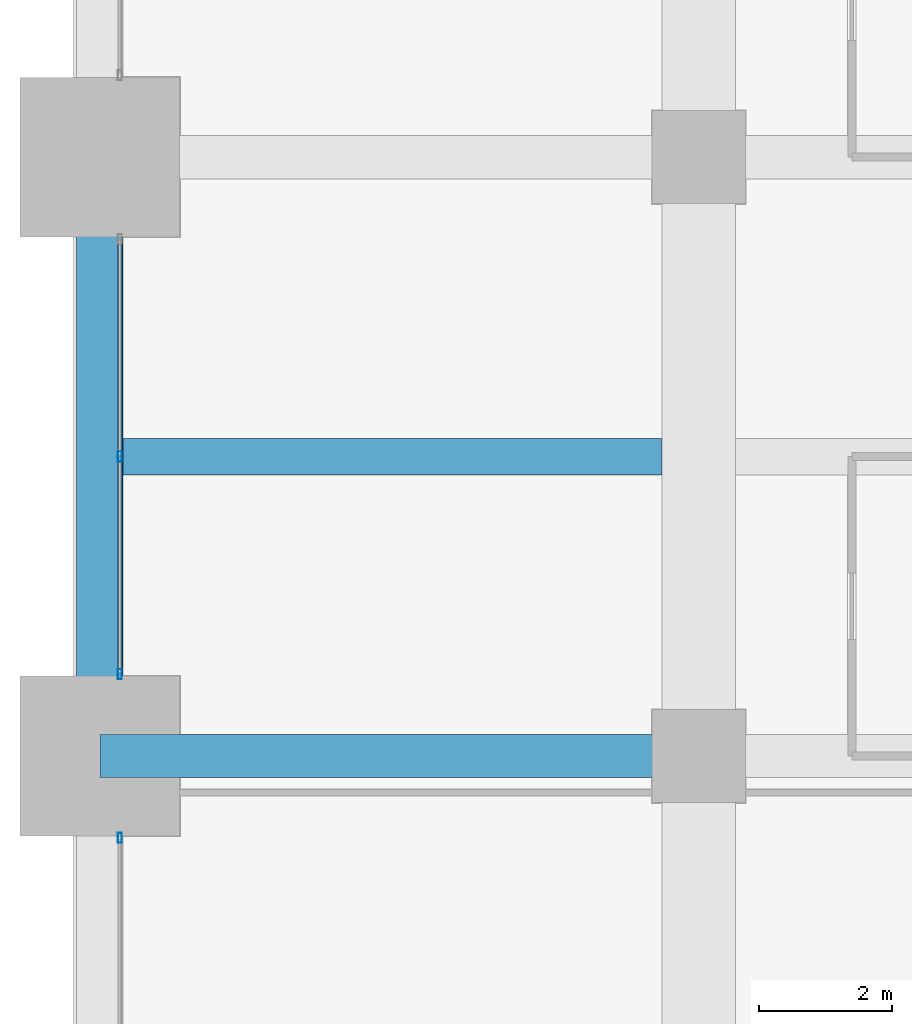
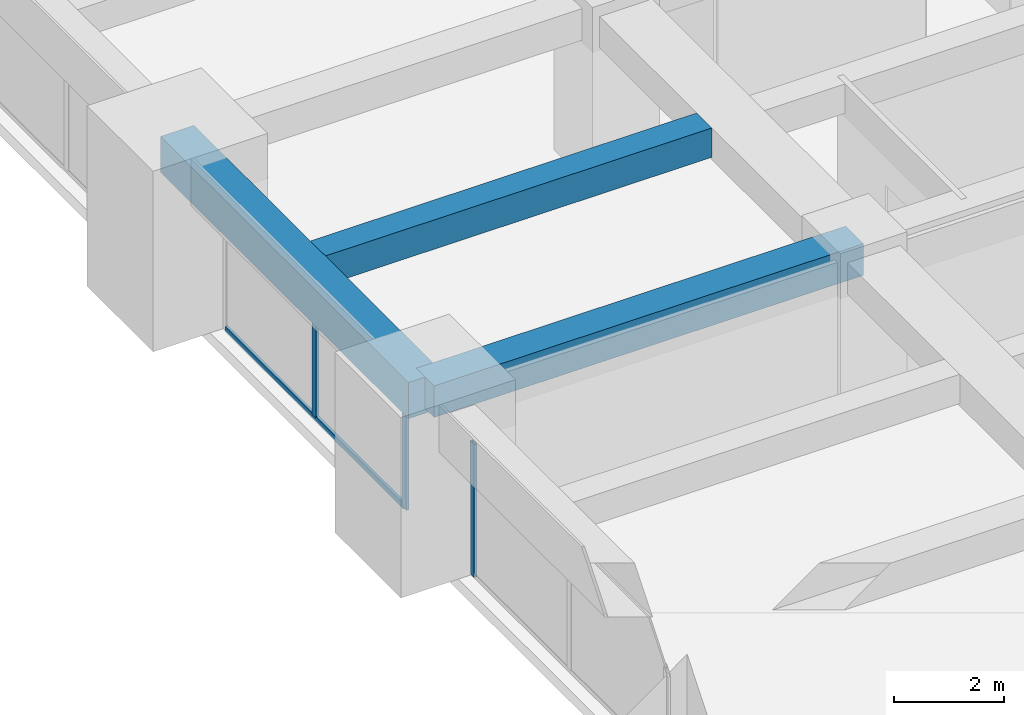
# One storey, part 9 of 32: 4 members, 3 beams, 2 elements without a shape of their own.
"""IFC4 building model written with IfcOpenShell, lengths in metres."""

from ifc_helpers import new_model, si_unit, direction, frame, origin, origin_2d, place, context, subcontext, project, spatial, rectangle, hollow_rectangle, extrude, material, material_profile, profile_set, type_object, element, aggregate, save


model = new_model("IFC4")

# Units and contexts
model_context = context("Model", 3, precision=1e-05, world=origin(), true_north=direction((0.0, 1.0)))
body_context = subcontext(model_context, "Body", "Model", "MODEL_VIEW")
ifc_project = project(units=[si_unit("LENGTHUNIT", "METRE"), si_unit("AREAUNIT", "SQUARE_METRE"), si_unit("VOLUMEUNIT", "CUBIC_METRE"), si_unit("PLANEANGLEUNIT", "RADIAN"), si_unit("MASSUNIT", "GRAM", prefix="KILO")], contexts=[model_context])

# Site, building, storey
site_placement = place(None, origin())
site = spatial("IfcSite", under=ifc_project, at=site_placement, CompositionType="ELEMENT")
building_placement = place(site_placement, origin())
building = spatial("IfcBuilding", under=site, at=building_placement, Name="Zorevar Civic Tower", CompositionType="ELEMENT")
storey_placement = place(building_placement, frame((0.0, 0.0, 202.199951171875)))
storey = spatial("IfcBuildingStorey", under=building, at=storey_placement, Name="L49", CompositionType="ELEMENT", Elevation=202.199951171875)

# Beams
ifc_material_1 = material(Name="Concrete C50/60", Category="concrete")
ifc_material_profile_1 = material_profile(ifc_material_1, rectangle(XDim=0.550048828125, YDim=0.64990234375, at=origin_2d()), Name="RC 550x650")
ifc_profile_set_1 = profile_set([ifc_material_profile_1], Name="Concrete C50/60")
beam_type_1 = type_object("IfcBeamType", Name="Beam RC 550x650", PredefinedType="BEAM", material=ifc_profile_set_1)
beam_1_placement = place(storey_placement, frame((0.35009765625, 22.5, 3.425048828125), z_axis=(1.0, 0.0, 0.0), x_axis=(0.0, 1.0, 0.0)))
element("IfcBeam", 1, at=beam_1_placement, inside=storey, type_object=beam_type_1, Name="Secondary beam L50", PredefinedType="BEAM", context=body_context, shape_type="SweptSolid", body=[
    extrude(rectangle(XDim=0.550048828125, YDim=0.64990234375, at=origin_2d()), origin(), (0.0, 0.0, 1.0), 8.099853515625),
])
ifc_material_2 = material(Name="Concrete C50/60", Category="concrete")
ifc_material_profile_2 = material_profile(ifc_material_2, rectangle(XDim=0.64990234375, YDim=0.699951171875, at=origin_2d()), Name="RC 650x700")
ifc_profile_set_2 = profile_set([ifc_material_profile_2], Name="Concrete C50/60")
beam_type_2 = type_object("IfcBeamType", Name="Beam RC 650x700", PredefinedType="BEAM", material=ifc_profile_set_2)
beam_2_placement = place(storey_placement, frame((0.0, 18.0, 3.400146484375), z_axis=(1.0, 0.0, 0.0), x_axis=(0.0, 1.0, 0.0)))
element("IfcBeam", 2, at=beam_2_placement, inside=storey, type_object=beam_type_2, Name="Girder L50", PredefinedType="BEAM", context=body_context, shape_type="SweptSolid", body=[
    extrude(rectangle(XDim=0.64990234375, YDim=0.699951171875, at=origin_2d()), origin(), (0.0, 0.0, 1.0), 9.0),
])

# Curtain wall, member
ifc_material_3 = material(Name="Dark grey solar-control glass in black aluminium frame", Category="aluminium")
curtain_wall_type = type_object("IfcCurtainWallType", Name="Curtain wall CW4 high zone", PredefinedType="NOTDEFINED", material=ifc_material_3)
curtain_wall_1_placement = place(storey_placement, origin())
curtain_wall_1 = element("IfcCurtainWall", 3, at=curtain_wall_1_placement, inside=storey, type_object=curtain_wall_type, Name="CW4 L49", PredefinedType="NOTDEFINED")
ifc_material_4 = material(Name="Aluminium, black anodised", Category="aluminium")
ifc_material_profile_3 = material_profile(ifc_material_4, hollow_rectangle(XDim=0.06005859375, YDim=0.14990234375, WallThickness=0.00390625, at=origin_2d()), Name="AL 150x60x4")
ifc_profile_set_3 = profile_set([ifc_material_profile_3], Name="Aluminium, black anodised")
member_type_1 = type_object("IfcMemberType", Name="CW4 mullion AL 150x60x4", PredefinedType="MULLION", material=ifc_profile_set_3)
member_1_placement = place(storey_placement, frame((0.300048828125, 16.77001953125, 0.0), z_axis=(0.0, 0.0, 1.0), x_axis=(-1.0, 0.0, 0.0)))
member_1 = element("IfcMember", 4, at=member_1_placement, type_object=member_type_1, Name="CW4 mullion 3", PredefinedType="MULLION", context=body_context, shape_type="SweptSolid", body=[
    extrude(hollow_rectangle(XDim=0.06005859375, YDim=0.14990234375, WallThickness=0.00390625, at=origin_2d()), origin(), (0.0, 0.0, 1.0), 2.949951171875),
])
aggregate(curtain_wall_1, [member_1])

# Curtain wall, members
curtain_wall_2_placement = place(storey_placement, origin())
curtain_wall_2 = element("IfcCurtainWall", 5, at=curtain_wall_2_placement, inside=storey, type_object=curtain_wall_type, Name="CW4 L49", PredefinedType="NOTDEFINED")
member_2_placement = place(storey_placement, frame((0.300048828125, 19.22998046875, 0.0), z_axis=(0.0, 0.0, 1.0), x_axis=(-1.0, 0.0, 0.0)))
member_2 = element("IfcMember", 6, at=member_2_placement, type_object=member_type_1, Name="CW4 mullion 1", PredefinedType="MULLION", context=body_context, shape_type="SweptSolid", body=[
    extrude(hollow_rectangle(XDim=0.06005859375, YDim=0.14990234375, WallThickness=0.00390625, at=origin_2d()), origin(), (0.0, 0.0, 1.0), 2.949951171875),
])
member_3_placement = place(storey_placement, frame((0.300048828125, 22.5, 0.06005859375), z_axis=(0.0, 0.0, 1.0), x_axis=(-1.0, 0.0, 0.0)))
member_3 = element("IfcMember", 7, at=member_3_placement, type_object=member_type_1, Name="CW4 mullion 2", PredefinedType="MULLION", context=body_context, shape_type="SweptSolid", body=[
    extrude(hollow_rectangle(XDim=0.06005859375, YDim=0.14990234375, WallThickness=0.00390625, at=origin_2d()), origin(), (0.0, 0.0, 1.0), 2.889892578125),
])
ifc_material_5 = material(Name="Aluminium, black anodised", Category="aluminium")
ifc_material_profile_4 = material_profile(ifc_material_5, hollow_rectangle(XDim=0.06005859375, YDim=0.1201171875, WallThickness=0.0029296875, at=origin_2d()), Name="AL 120x60x3")
ifc_profile_set_4 = profile_set([ifc_material_profile_4], Name="Aluminium, black anodised")
member_type_2 = type_object("IfcMemberType", Name="CW4 transom AL 120x60x3", PredefinedType="USERDEFINED", material=ifc_profile_set_4)
member_4_placement = place(storey_placement, frame((0.300048828125, 19.260009765625, 0.030029296875), z_axis=(0.0, 1.0, 0.0), x_axis=(-1.0, 0.0, 0.0)))
member_4 = element("IfcMember", 8, at=member_4_placement, type_object=member_type_2, Name="CW4 sill transom", ObjectType="TRANSOM", PredefinedType="USERDEFINED", context=body_context, shape_type="SweptSolid", body=[
    extrude(hollow_rectangle(XDim=0.06005859375, YDim=0.1201171875, WallThickness=0.0029296875, at=origin_2d()), origin(), (0.0, 0.0, 1.0), 6.47998046875),
])
aggregate(curtain_wall_2, [member_2, member_3, member_4])

# Beam
ifc_material_6 = material(Name="Concrete C50/60", Category="concrete")
ifc_material_profile_5 = material_profile(ifc_material_6, rectangle(XDim=0.699951171875, YDim=0.800048828125, at=origin_2d()), Name="RC 700x800")
ifc_profile_set_5 = profile_set([ifc_material_profile_5], Name="Concrete C50/60")
beam_type_3 = type_object("IfcBeamType", Name="Edge beam RC 700x800", PredefinedType="SPANDREL", material=ifc_profile_set_5)
beam_3_placement = place(storey_placement, frame((0.0, 18.0, 3.35009765625), z_axis=(0.0, 1.0, 0.0), x_axis=(-1.0, 0.0, 0.0)))
element("IfcBeam", 9, at=beam_3_placement, inside=storey, type_object=beam_type_3, Name="Edge beam L50", PredefinedType="SPANDREL", context=body_context, shape_type="SweptSolid", body=[
    extrude(rectangle(XDim=0.699951171875, YDim=0.800048828125, at=origin_2d()), origin(), (0.0, 0.0, 1.0), 9.0),
])

save(model, "model.ifc")
